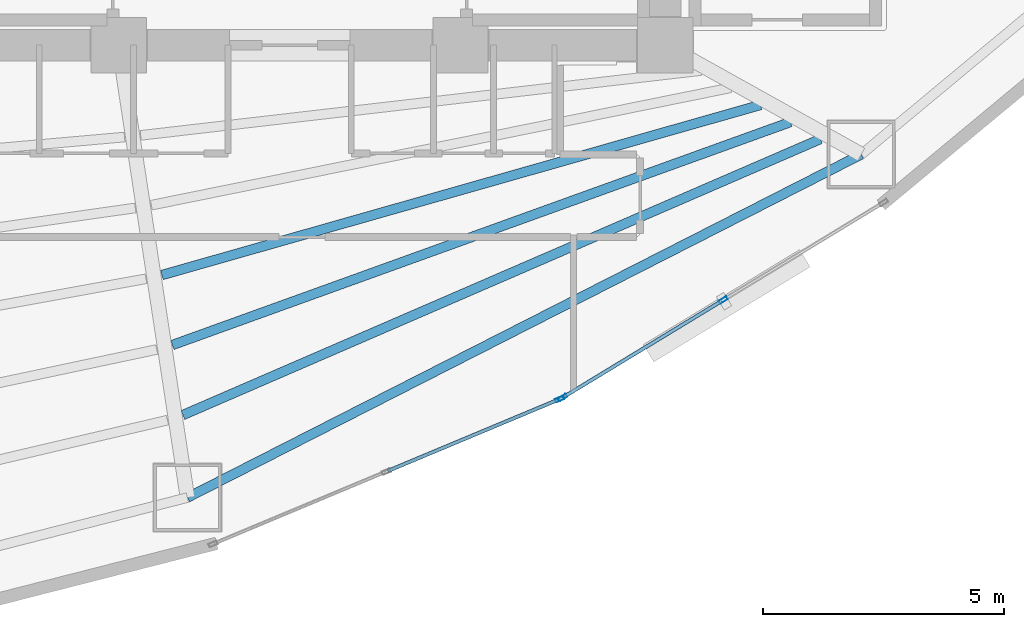
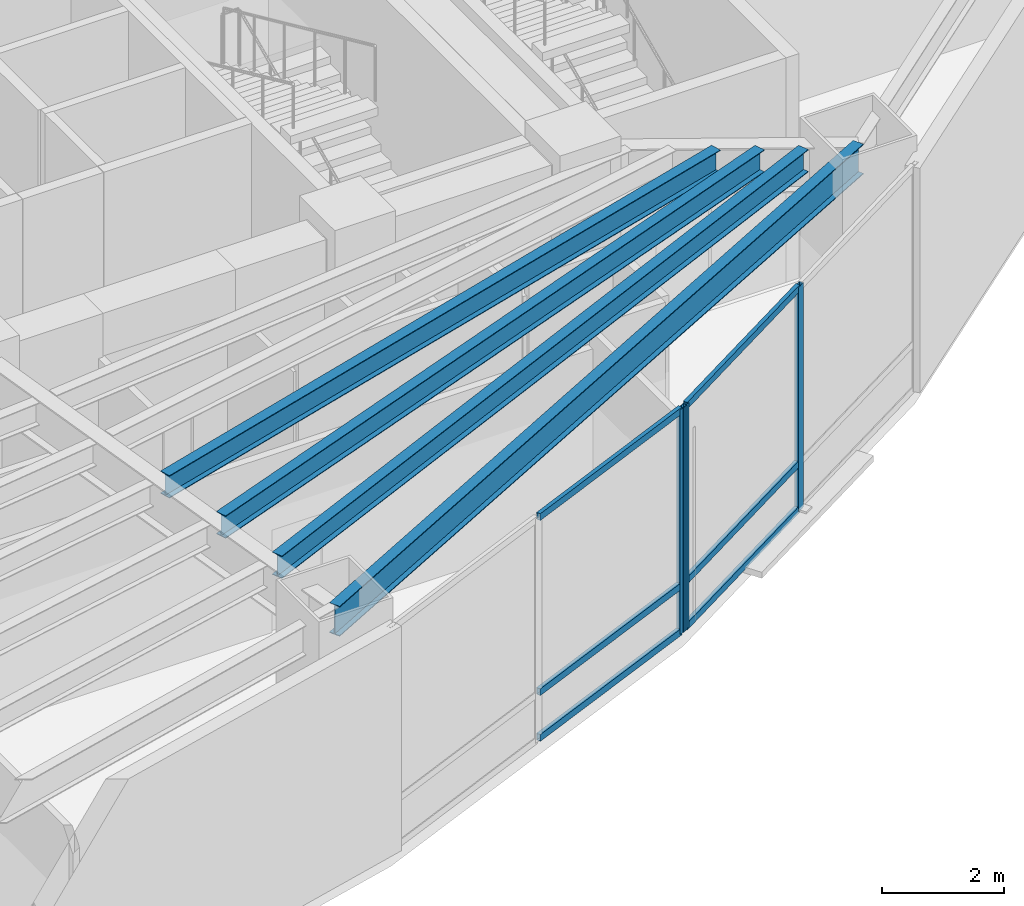
# One storey, part 5 of 18: 9 members, 4 beams, 2 elements without a shape of their own.
"""IFC4 building model written with IfcOpenShell, lengths in metres."""

from ifc_helpers import new_model, si_unit, direction, frame, origin, origin_2d, place, context, subcontext, project, spatial, hollow_rectangle, i_section, extrude, material, layer, layer_set, material_profile, profile_set, type_object, element, aggregate, save


model = new_model("IFC4")

# Units and contexts
model_context = context("Model", 3, precision=1e-05, world=origin(), true_north=direction((0.0, 1.0)))
body_context = subcontext(model_context, "Body", "Model", "MODEL_VIEW")
ifc_project = project(units=[si_unit("LENGTHUNIT", "METRE"), si_unit("AREAUNIT", "SQUARE_METRE"), si_unit("VOLUMEUNIT", "CUBIC_METRE"), si_unit("PLANEANGLEUNIT", "RADIAN"), si_unit("MASSUNIT", "GRAM", prefix="KILO")], contexts=[model_context])

# Site, building, storey
site_placement = place(None, origin())
site = spatial("IfcSite", under=ifc_project, at=site_placement, CompositionType="ELEMENT")
building_placement = place(site_placement, origin())
building = spatial("IfcBuilding", under=site, at=building_placement, Name="Menara Vayukalpa", CompositionType="ELEMENT")
storey_placement = place(building_placement, frame((0.0, 0.0, 7.199951171875)))
storey = spatial("IfcBuildingStorey", under=building, at=storey_placement, Name="L01", CompositionType="ELEMENT", Elevation=7.199951171875)

# Beams
ifc_material_1 = material(Name="Steel S355", Category="steel")
ifc_material_profile_1 = material_profile(ifc_material_1, i_section(OverallWidth=0.199951171875, OverallDepth=0.449951171875, WebThickness=0.009033203125, FlangeThickness=0.013916015625, at=origin_2d()), Name="WF 450x200x9x14")
ifc_profile_set_1 = profile_set([ifc_material_profile_1], Name="Steel S355")
beam_type_1 = type_object("IfcBeamType", Name="BM-SJ1", PredefinedType="JOIST", material=ifc_profile_set_1)
beam_1_placement = place(storey_placement, frame((22.945068359375, 12.423095703125, 4.255126953125), z_axis=(0.961920522013, 0.273329305656, 0.0), x_axis=(-0.273329305656, 0.961920522013, 0.0)))
element("IfcBeam", 1, at=beam_1_placement, inside=storey, type_object=beam_type_1, Name="L01 Secondary Floor Joist SJ08-3", PredefinedType="JOIST", context=body_context, shape_type="SweptSolid", body=[
    extrude(i_section(OverallWidth=0.199951171875, OverallDepth=0.449951171875, WebThickness=0.009033203125, FlangeThickness=0.013916015625, at=origin_2d()), origin(), (0.0, 0.0, 1.0), 12.93017578125),
])
beam_2_placement = place(storey_placement, frame((23.16357421875, 10.9697265625, 4.255126953125), z_axis=(0.94065210614, 0.339372384284, 0.0), x_axis=(-0.339372384284, 0.94065210614, 0.0)))
element("IfcBeam", 2, at=beam_2_placement, inside=storey, type_object=beam_type_1, Name="L01 Secondary Floor Joist SJ08-4", PredefinedType="JOIST", context=body_context, shape_type="SweptSolid", body=[
    extrude(i_section(OverallWidth=0.199951171875, OverallDepth=0.449951171875, WebThickness=0.009033203125, FlangeThickness=0.013916015625, at=origin_2d()), origin(), (0.0, 0.0, 1.0), 13.649658203125),
])
beam_3_placement = place(storey_placement, frame((23.381591796875, 9.51513671875, 4.255126953125), z_axis=(0.91768786967, 0.397302119125, 0.0), x_axis=(-0.397302119125, 0.91768786967, 0.0)))
element("IfcBeam", 3, at=beam_3_placement, inside=storey, type_object=beam_type_1, Name="L01 Secondary Floor Joist SJ08-5", PredefinedType="JOIST", context=body_context, shape_type="SweptSolid", body=[
    extrude(i_section(OverallWidth=0.199951171875, OverallDepth=0.449951171875, WebThickness=0.009033203125, FlangeThickness=0.013916015625, at=origin_2d()), origin(), (0.0, 0.0, 1.0), 14.43017578125),
])
ifc_material_2 = material(Name="Steel S355", Category="steel")
ifc_material_profile_2 = material_profile(ifc_material_2, i_section(OverallWidth=0.199951171875, OverallDepth=0.60009765625, WebThickness=0.010986328125, FlangeThickness=0.01708984375, at=origin_2d()), Name="WF 600x200x11x17")
ifc_profile_set_2 = profile_set([ifc_material_profile_2], Name="Steel S355")
beam_type_2 = type_object("IfcBeamType", Name="BM-SP1", PredefinedType="SPANDREL", material=ifc_profile_set_2)
beam_4_placement = place(storey_placement, frame((23.4755859375, 7.80029296875, 4.179931640625), z_axis=(0.891101872915, 0.453803318726, 0.0), x_axis=(-0.453803318726, 0.891101872915, 0.0)))
element("IfcBeam", 4, at=beam_4_placement, inside=storey, type_object=beam_type_2, Name="L01 Perimeter Spandrel Beam SP08", PredefinedType="SPANDREL", context=body_context, shape_type="SweptSolid", body=[
    extrude(i_section(OverallWidth=0.199951171875, OverallDepth=0.60009765625, WebThickness=0.010986328125, FlangeThickness=0.01708984375, at=origin_2d()), origin(), (0.0, 0.0, 1.0), 15.709228515625),
])

# Curtain wall, member
ifc_material_3 = material(Name="Anodised Terracotta Aluminium Alloy 6063-T6", Category="masonry")
ifc_layer = layer(ifc_material_3, 0.179931640625)
ifc_layer_set = layer_set([ifc_layer], Name="Anodised Terracotta Aluminium Alloy 6063-T6")
curtain_wall_type = type_object("IfcCurtainWallType", Name="CW-CW1", PredefinedType="USERDEFINED", material=ifc_layer_set)
curtain_wall_1_placement = place(storey_placement, origin())
curtain_wall_1 = element("IfcCurtainWall", 5, at=curtain_wall_1_placement, inside=storey, type_object=curtain_wall_type, Name="L01 Podium Unitised Ribbon Curtain Wall CW1 16", ObjectType="UNITISED", PredefinedType="USERDEFINED")
ifc_material_4 = material(Name="Anodised Terracotta Aluminium Alloy 6063-T6", Category="masonry")
ifc_material_profile_3 = material_profile(ifc_material_4, hollow_rectangle(XDim=0.074951171875, YDim=0.179931640625, WallThickness=0.00390625, at=origin_2d()), Name="ALU 75x180x4")
ifc_profile_set_3 = profile_set([ifc_material_profile_3], Name="Anodised Terracotta Aluminium Alloy 6063-T6")
member_type_1 = type_object("IfcMemberType", Name="CWM-CW1", PredefinedType="MULLION", material=ifc_profile_set_3)
member_1_placement = place(storey_placement, frame((31.206787109375, 9.844970703125, 0.0), z_axis=(0.0, 0.0, 1.0), x_axis=(-0.385890613077, 0.922544543499, 0.0)))
member_1 = element("IfcMember", 6, at=member_1_placement, type_object=member_type_1, Name="CW1 mullion 3", PredefinedType="MULLION", context=body_context, shape_type="SweptSolid", body=[
    extrude(hollow_rectangle(XDim=0.074951171875, YDim=0.179931640625, WallThickness=0.00390625, at=origin_2d()), origin(), (0.0, 0.0, 1.0), 4.47998046875),
])

# Curtain wall, members
curtain_wall_2_placement = place(storey_placement, origin())
curtain_wall_2 = element("IfcCurtainWall", 7, at=curtain_wall_2_placement, inside=storey, type_object=curtain_wall_type, Name="L01 Podium Unitised Ribbon Curtain Wall CW1 17", ObjectType="UNITISED", PredefinedType="USERDEFINED")
member_2_placement = place(storey_placement, frame((31.2734375, 9.87890625, 0.0), z_axis=(0.0, 0.0, 1.0), x_axis=(-0.519179879231, 0.854664994604, 0.0)))
member_2 = element("IfcMember", 8, at=member_2_placement, type_object=member_type_1, Name="CW1 mullion 1", PredefinedType="MULLION", context=body_context, shape_type="SweptSolid", body=[
    extrude(hollow_rectangle(XDim=0.074951171875, YDim=0.179931640625, WallThickness=0.00390625, at=origin_2d()), origin(), (0.0, 0.0, 1.0), 4.47998046875),
])
member_3_placement = place(storey_placement, frame((34.607177734375, 11.904296875, 0.0), z_axis=(0.0, 0.0, 1.0), x_axis=(-0.519179879231, 0.854664994604, 0.0)))
member_3 = element("IfcMember", 9, at=member_3_placement, type_object=member_type_1, Name="CW1 mullion 2", PredefinedType="MULLION", context=body_context, shape_type="SweptSolid", body=[
    extrude(hollow_rectangle(XDim=0.074951171875, YDim=0.179931640625, WallThickness=0.00390625, at=origin_2d()), origin(), (0.0, 0.0, 1.0), 4.47998046875),
])

# Member
ifc_material_5 = material(Name="Anodised Terracotta Aluminium Alloy 6063-T6", Category="masonry")
ifc_material_profile_4 = material_profile(ifc_material_5, hollow_rectangle(XDim=0.074951171875, YDim=0.135009765625, WallThickness=0.00390625, at=origin_2d()), Name="ALU 75x135x4")
ifc_profile_set_4 = profile_set([ifc_material_profile_4], Name="Anodised Terracotta Aluminium Alloy 6063-T6")
member_type_2 = type_object("IfcMemberType", Name="CWT-CW1", PredefinedType="USERDEFINED", material=ifc_profile_set_4)
member_4_placement = place(storey_placement, frame((27.642578125, 8.354248046875, 0.03759765625), z_axis=(0.922549314237, 0.385879207525, 0.0), x_axis=(-0.385879207525, 0.922549314237, 0.0)))
member_4 = element("IfcMember", 10, at=member_4_placement, type_object=member_type_2, Name="CW1 transom 2.1", ObjectType="TRANSOM", PredefinedType="USERDEFINED", context=body_context, shape_type="SweptSolid", body=[
    extrude(hollow_rectangle(XDim=0.074951171875, YDim=0.135009765625, WallThickness=0.00390625, at=origin_2d()), origin(), (0.0, 0.0, 1.0), 3.825927734375),
])

member_5_placement = place(storey_placement, frame((27.642578125, 8.354248046875, 0.949951171875), z_axis=(0.922549314237, 0.385879207525, 0.0), x_axis=(-0.385879207525, 0.922549314237, 0.0)))
member_5 = element("IfcMember", 11, at=member_5_placement, type_object=member_type_2, Name="CW1 transom 2.2", ObjectType="TRANSOM", PredefinedType="USERDEFINED", context=body_context, shape_type="SweptSolid", body=[
    extrude(hollow_rectangle(XDim=0.074951171875, YDim=0.135009765625, WallThickness=0.00390625, at=origin_2d()), origin(), (0.0, 0.0, 1.0), 3.825927734375),
])

member_6_placement = place(storey_placement, frame((27.642578125, 8.354248046875, 4.442626953125), z_axis=(0.922549314237, 0.385879207525, 0.0), x_axis=(-0.385879207525, 0.922549314237, 0.0)))
member_6 = element("IfcMember", 12, at=member_6_placement, type_object=member_type_2, Name="CW1 transom 2.3", ObjectType="TRANSOM", PredefinedType="USERDEFINED", context=body_context, shape_type="SweptSolid", body=[
    extrude(hollow_rectangle(XDim=0.074951171875, YDim=0.135009765625, WallThickness=0.00390625, at=origin_2d()), origin(), (0.0, 0.0, 1.0), 3.825927734375),
])

aggregate(curtain_wall_1, [member_1, member_4, member_5, member_6])

member_7_placement = place(storey_placement, frame((31.305419921875, 9.8984375, 0.03759765625), z_axis=(0.85465908819, 0.519189602144, 0.0), x_axis=(-0.519189602144, 0.85465908819, 0.0)))
member_7 = element("IfcMember", 13, at=member_7_placement, type_object=member_type_2, Name="CW1 transom 1.1", ObjectType="TRANSOM", PredefinedType="USERDEFINED", context=body_context, shape_type="SweptSolid", body=[
    extrude(hollow_rectangle(XDim=0.074951171875, YDim=0.135009765625, WallThickness=0.00390625, at=origin_2d()), origin(), (0.0, 0.0, 1.0), 3.825927734375),
])

member_8_placement = place(storey_placement, frame((31.305419921875, 9.8984375, 0.949951171875), z_axis=(0.85465908819, 0.519189602144, 0.0), x_axis=(-0.519189602144, 0.85465908819, 0.0)))
member_8 = element("IfcMember", 14, at=member_8_placement, type_object=member_type_2, Name="CW1 transom 1.2", ObjectType="TRANSOM", PredefinedType="USERDEFINED", context=body_context, shape_type="SweptSolid", body=[
    extrude(hollow_rectangle(XDim=0.074951171875, YDim=0.135009765625, WallThickness=0.00390625, at=origin_2d()), origin(), (0.0, 0.0, 1.0), 3.825927734375),
])

member_9_placement = place(storey_placement, frame((31.305419921875, 9.8984375, 4.442626953125), z_axis=(0.85465908819, 0.519189602144, 0.0), x_axis=(-0.519189602144, 0.85465908819, 0.0)))
member_9 = element("IfcMember", 15, at=member_9_placement, type_object=member_type_2, Name="CW1 transom 1.3", ObjectType="TRANSOM", PredefinedType="USERDEFINED", context=body_context, shape_type="SweptSolid", body=[
    extrude(hollow_rectangle(XDim=0.074951171875, YDim=0.135009765625, WallThickness=0.00390625, at=origin_2d()), origin(), (0.0, 0.0, 1.0), 3.825927734375),
])

aggregate(curtain_wall_2, [member_2, member_3, member_7, member_8, member_9])

save(model, "model.ifc")
